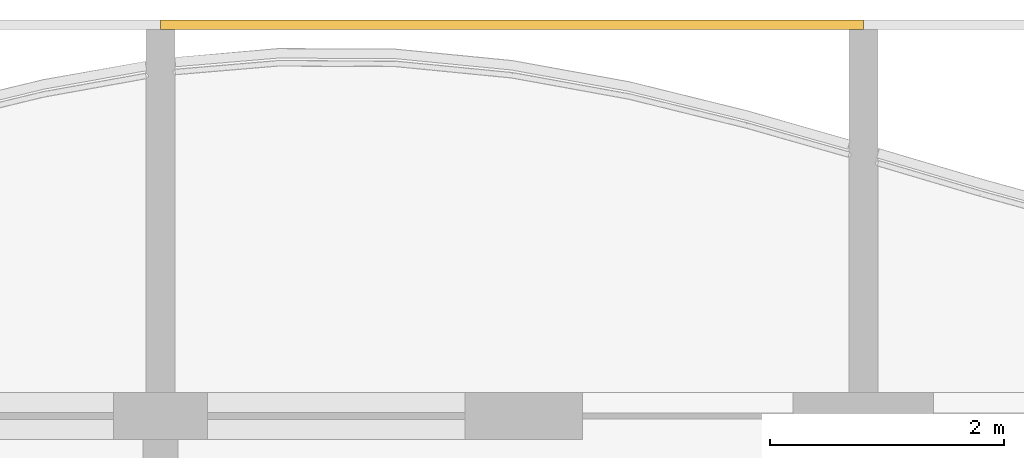
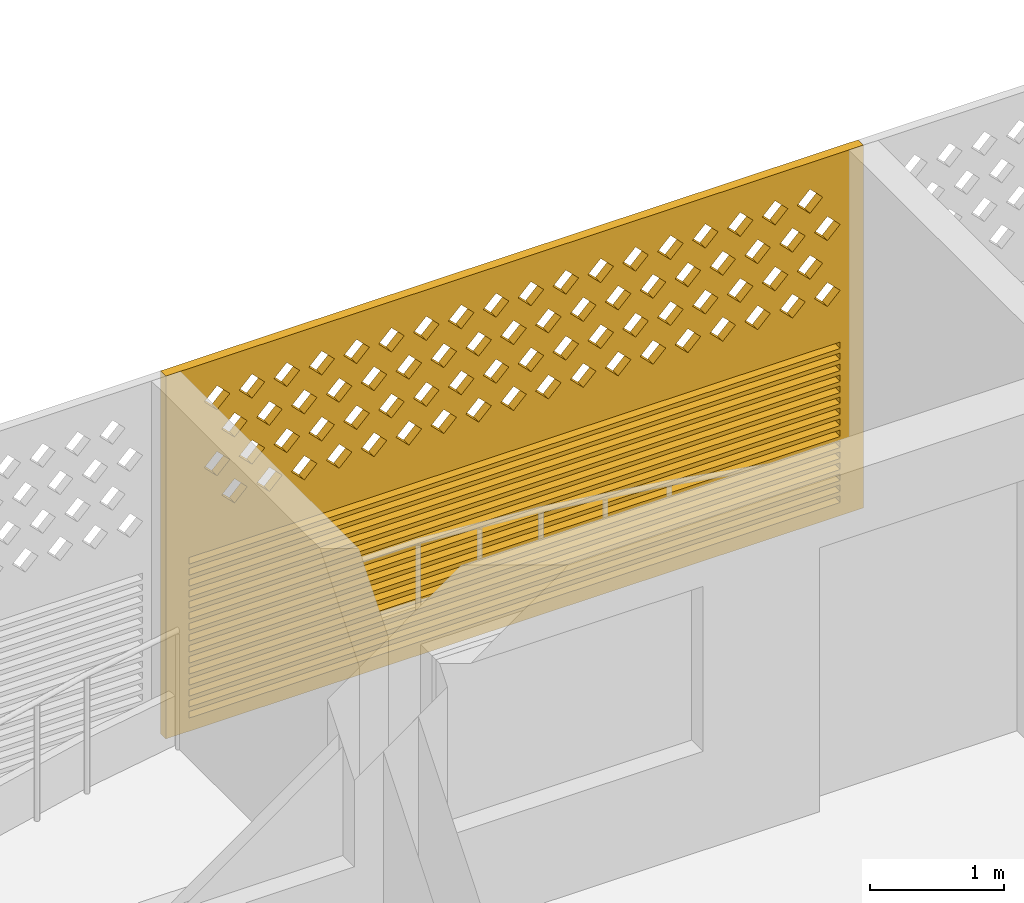
# One storey, part 20 of 32: 1 covering.
"""IFC4 building model written with IfcOpenShell, lengths in metres."""

from ifc_helpers import new_model, si_unit, direction, frame, origin, place, context, subcontext, project, spatial, polyline, outline, extrude, source, transform, mapped, material, material_profile, profile_set, type_object, element, save


model = new_model("IFC4")

# Units and contexts
model_context = context("Model", 3, precision=1e-05, world=origin(), true_north=direction((0.0, 1.0)))
body_context = subcontext(model_context, "Body", "Model", "MODEL_VIEW")
ifc_project = project(units=[si_unit("LENGTHUNIT", "METRE"), si_unit("AREAUNIT", "SQUARE_METRE"), si_unit("VOLUMEUNIT", "CUBIC_METRE"), si_unit("PLANEANGLEUNIT", "RADIAN"), si_unit("MASSUNIT", "GRAM", prefix="KILO")], contexts=[model_context])

# Site, building, storey
site_placement = place(None, origin())
site = spatial("IfcSite", under=ifc_project, at=site_placement, CompositionType="ELEMENT")
building_placement = place(site_placement, origin())
building = spatial("IfcBuilding", under=site, at=building_placement, Name="Poui Terraces", CompositionType="ELEMENT")
storey_placement = place(building_placement, frame((0.0, 0.0, 155.39990234375)))
storey = spatial("IfcBuildingStorey", under=building, at=storey_placement, Name="L43", CompositionType="ELEMENT", Elevation=155.39990234375)

# Covering
ifc_material = material(Name="Terracotta screen", Category="masonry")
ifc_material_profile = material_profile(ifc_material, outline(polyline([(-3.0, -1.64990234375), (3.0, -1.64990234375), (3.0, 1.64990234375), (-3.0, 1.64990234375), (-3.0, -1.64990234375)]), holes=[polyline([(-2.800048828125, 0.39990234375), (-2.68994140625, 0.2900390625), (-2.580078125, 0.39990234375), (-2.68994140625, 0.510009765625), (-2.800048828125, 0.39990234375)]), polyline([(-2.5, 0.39990234375), (-2.389892578125, 0.2900390625), (-2.280029296875, 0.39990234375), (-2.389892578125, 0.510009765625), (-2.5, 0.39990234375)]), polyline([(-2.199951171875, 0.39990234375), (-2.090087890625, 0.2900390625), (-1.97998046875, 0.39990234375), (-2.090087890625, 0.510009765625), (-2.199951171875, 0.39990234375)]), polyline([(-1.89990234375, 0.39990234375), (-1.7900390625, 0.2900390625), (-1.679931640625, 0.39990234375), (-1.7900390625, 0.510009765625), (-1.89990234375, 0.39990234375)]), polyline([(-1.60009765625, 0.39990234375), (-1.489990234375, 0.2900390625), (-1.3798828125, 0.39990234375), (-1.489990234375, 0.510009765625), (-1.60009765625, 0.39990234375)]), polyline([(-1.300048828125, 0.39990234375), (-1.18994140625, 0.2900390625), (-1.080078125, 0.39990234375), (-1.18994140625, 0.510009765625), (-1.300048828125, 0.39990234375)]), polyline([(-1.0, 0.39990234375), (-0.889892578125, 0.2900390625), (-0.780029296875, 0.39990234375), (-0.889892578125, 0.510009765625), (-1.0, 0.39990234375)]), polyline([(-0.699951171875, 0.39990234375), (-0.590087890625, 0.2900390625), (-0.47998046875, 0.39990234375), (-0.590087890625, 0.510009765625), (-0.699951171875, 0.39990234375)]), polyline([(-0.39990234375, 0.39990234375), (-0.2900390625, 0.2900390625), (-0.179931640625, 0.39990234375), (-0.2900390625, 0.510009765625), (-0.39990234375, 0.39990234375)]), polyline([(-0.10009765625, 0.39990234375), (0.010009765625, 0.2900390625), (0.1201171875, 0.39990234375), (0.010009765625, 0.510009765625), (-0.10009765625, 0.39990234375)]), polyline([(0.199951171875, 0.39990234375), (0.31005859375, 0.2900390625), (0.419921875, 0.39990234375), (0.31005859375, 0.510009765625), (0.199951171875, 0.39990234375)]), polyline([(0.5, 0.39990234375), (0.610107421875, 0.2900390625), (0.719970703125, 0.39990234375), (0.610107421875, 0.510009765625), (0.5, 0.39990234375)]), polyline([(0.800048828125, 0.39990234375), (0.909912109375, 0.2900390625), (1.02001953125, 0.39990234375), (0.909912109375, 0.510009765625), (0.800048828125, 0.39990234375)]), polyline([(1.10009765625, 0.39990234375), (1.2099609375, 0.2900390625), (1.320068359375, 0.39990234375), (1.2099609375, 0.510009765625), (1.10009765625, 0.39990234375)]), polyline([(1.39990234375, 0.39990234375), (1.510009765625, 0.2900390625), (1.6201171875, 0.39990234375), (1.510009765625, 0.510009765625), (1.39990234375, 0.39990234375)]), polyline([(1.699951171875, 0.39990234375), (1.81005859375, 0.2900390625), (1.919921875, 0.39990234375), (1.81005859375, 0.510009765625), (1.699951171875, 0.39990234375)]), polyline([(2.0, 0.39990234375), (2.110107421875, 0.2900390625), (2.219970703125, 0.39990234375), (2.110107421875, 0.510009765625), (2.0, 0.39990234375)]), polyline([(2.300048828125, 0.39990234375), (2.409912109375, 0.2900390625), (2.52001953125, 0.39990234375), (2.409912109375, 0.510009765625), (2.300048828125, 0.39990234375)]), polyline([(-2.64990234375, 0.699951171875), (-2.5400390625, 0.590087890625), (-2.429931640625, 0.699951171875), (-2.5400390625, 0.81005859375), (-2.64990234375, 0.699951171875)]), polyline([(-2.35009765625, 0.699951171875), (-2.239990234375, 0.590087890625), (-2.1298828125, 0.699951171875), (-2.239990234375, 0.81005859375), (-2.35009765625, 0.699951171875)]), polyline([(-2.050048828125, 0.699951171875), (-1.93994140625, 0.590087890625), (-1.830078125, 0.699951171875), (-1.93994140625, 0.81005859375), (-2.050048828125, 0.699951171875)]), polyline([(-1.75, 0.699951171875), (-1.639892578125, 0.590087890625), (-1.530029296875, 0.699951171875), (-1.639892578125, 0.81005859375), (-1.75, 0.699951171875)]), polyline([(-1.449951171875, 0.699951171875), (-1.340087890625, 0.590087890625), (-1.22998046875, 0.699951171875), (-1.340087890625, 0.81005859375), (-1.449951171875, 0.699951171875)]), polyline([(-1.14990234375, 0.699951171875), (-1.0400390625, 0.590087890625), (-0.929931640625, 0.699951171875), (-1.0400390625, 0.81005859375), (-1.14990234375, 0.699951171875)]), polyline([(-0.85009765625, 0.699951171875), (-0.739990234375, 0.590087890625), (-0.6298828125, 0.699951171875), (-0.739990234375, 0.81005859375), (-0.85009765625, 0.699951171875)]), polyline([(-0.550048828125, 0.699951171875), (-0.43994140625, 0.590087890625), (-0.330078125, 0.699951171875), (-0.43994140625, 0.81005859375), (-0.550048828125, 0.699951171875)]), polyline([(-0.25, 0.699951171875), (-0.139892578125, 0.590087890625), (-0.030029296875, 0.699951171875), (-0.139892578125, 0.81005859375), (-0.25, 0.699951171875)]), polyline([(0.050048828125, 0.699951171875), (0.159912109375, 0.590087890625), (0.27001953125, 0.699951171875), (0.159912109375, 0.81005859375), (0.050048828125, 0.699951171875)]), polyline([(0.35009765625, 0.699951171875), (0.4599609375, 0.590087890625), (0.570068359375, 0.699951171875), (0.4599609375, 0.81005859375), (0.35009765625, 0.699951171875)]), polyline([(0.64990234375, 0.699951171875), (0.760009765625, 0.590087890625), (0.8701171875, 0.699951171875), (0.760009765625, 0.81005859375), (0.64990234375, 0.699951171875)]), polyline([(0.949951171875, 0.699951171875), (1.06005859375, 0.590087890625), (1.169921875, 0.699951171875), (1.06005859375, 0.81005859375), (0.949951171875, 0.699951171875)]), polyline([(1.25, 0.699951171875), (1.360107421875, 0.590087890625), (1.469970703125, 0.699951171875), (1.360107421875, 0.81005859375), (1.25, 0.699951171875)]), polyline([(1.550048828125, 0.699951171875), (1.659912109375, 0.590087890625), (1.77001953125, 0.699951171875), (1.659912109375, 0.81005859375), (1.550048828125, 0.699951171875)]), polyline([(1.85009765625, 0.699951171875), (1.9599609375, 0.590087890625), (2.070068359375, 0.699951171875), (1.9599609375, 0.81005859375), (1.85009765625, 0.699951171875)]), polyline([(2.14990234375, 0.699951171875), (2.260009765625, 0.590087890625), (2.3701171875, 0.699951171875), (2.260009765625, 0.81005859375), (2.14990234375, 0.699951171875)]), polyline([(2.449951171875, 0.699951171875), (2.56005859375, 0.590087890625), (2.669921875, 0.699951171875), (2.56005859375, 0.81005859375), (2.449951171875, 0.699951171875)]), polyline([(-2.800048828125, 1.0), (-2.68994140625, 0.889892578125), (-2.580078125, 1.0), (-2.68994140625, 1.110107421875), (-2.800048828125, 1.0)]), polyline([(-2.5, 1.0), (-2.389892578125, 0.889892578125), (-2.280029296875, 1.0), (-2.389892578125, 1.110107421875), (-2.5, 1.0)]), polyline([(-2.199951171875, 1.0), (-2.090087890625, 0.889892578125), (-1.97998046875, 1.0), (-2.090087890625, 1.110107421875), (-2.199951171875, 1.0)]), polyline([(-1.89990234375, 1.0), (-1.7900390625, 0.889892578125), (-1.679931640625, 1.0), (-1.7900390625, 1.110107421875), (-1.89990234375, 1.0)]), polyline([(-1.60009765625, 1.0), (-1.489990234375, 0.889892578125), (-1.3798828125, 1.0), (-1.489990234375, 1.110107421875), (-1.60009765625, 1.0)]), polyline([(-1.300048828125, 1.0), (-1.18994140625, 0.889892578125), (-1.080078125, 1.0), (-1.18994140625, 1.110107421875), (-1.300048828125, 1.0)]), polyline([(-1.0, 1.0), (-0.889892578125, 0.889892578125), (-0.780029296875, 1.0), (-0.889892578125, 1.110107421875), (-1.0, 1.0)]), polyline([(-0.699951171875, 1.0), (-0.590087890625, 0.889892578125), (-0.47998046875, 1.0), (-0.590087890625, 1.110107421875), (-0.699951171875, 1.0)]), polyline([(-0.39990234375, 1.0), (-0.2900390625, 0.889892578125), (-0.179931640625, 1.0), (-0.2900390625, 1.110107421875), (-0.39990234375, 1.0)]), polyline([(-0.10009765625, 1.0), (0.010009765625, 0.889892578125), (0.1201171875, 1.0), (0.010009765625, 1.110107421875), (-0.10009765625, 1.0)]), polyline([(0.199951171875, 1.0), (0.31005859375, 0.889892578125), (0.419921875, 1.0), (0.31005859375, 1.110107421875), (0.199951171875, 1.0)]), polyline([(0.5, 1.0), (0.610107421875, 0.889892578125), (0.719970703125, 1.0), (0.610107421875, 1.110107421875), (0.5, 1.0)]), polyline([(0.800048828125, 1.0), (0.909912109375, 0.889892578125), (1.02001953125, 1.0), (0.909912109375, 1.110107421875), (0.800048828125, 1.0)]), polyline([(1.10009765625, 1.0), (1.2099609375, 0.889892578125), (1.320068359375, 1.0), (1.2099609375, 1.110107421875), (1.10009765625, 1.0)]), polyline([(1.39990234375, 1.0), (1.510009765625, 0.889892578125), (1.6201171875, 1.0), (1.510009765625, 1.110107421875), (1.39990234375, 1.0)]), polyline([(1.699951171875, 1.0), (1.81005859375, 0.889892578125), (1.919921875, 1.0), (1.81005859375, 1.110107421875), (1.699951171875, 1.0)]), polyline([(2.0, 1.0), (2.110107421875, 0.889892578125), (2.219970703125, 1.0), (2.110107421875, 1.110107421875), (2.0, 1.0)]), polyline([(2.300048828125, 1.0), (2.409912109375, 0.889892578125), (2.52001953125, 1.0), (2.409912109375, 1.110107421875), (2.300048828125, 1.0)]), polyline([(-2.64990234375, 1.300048828125), (-2.5400390625, 1.18994140625), (-2.429931640625, 1.300048828125), (-2.5400390625, 1.409912109375), (-2.64990234375, 1.300048828125)]), polyline([(-2.35009765625, 1.300048828125), (-2.239990234375, 1.18994140625), (-2.1298828125, 1.300048828125), (-2.239990234375, 1.409912109375), (-2.35009765625, 1.300048828125)]), polyline([(-2.050048828125, 1.300048828125), (-1.93994140625, 1.18994140625), (-1.830078125, 1.300048828125), (-1.93994140625, 1.409912109375), (-2.050048828125, 1.300048828125)]), polyline([(-1.75, 1.300048828125), (-1.639892578125, 1.18994140625), (-1.530029296875, 1.300048828125), (-1.639892578125, 1.409912109375), (-1.75, 1.300048828125)]), polyline([(-1.449951171875, 1.300048828125), (-1.340087890625, 1.18994140625), (-1.22998046875, 1.300048828125), (-1.340087890625, 1.409912109375), (-1.449951171875, 1.300048828125)]), polyline([(-1.14990234375, 1.300048828125), (-1.0400390625, 1.18994140625), (-0.929931640625, 1.300048828125), (-1.0400390625, 1.409912109375), (-1.14990234375, 1.300048828125)]), polyline([(-0.85009765625, 1.300048828125), (-0.739990234375, 1.18994140625), (-0.6298828125, 1.300048828125), (-0.739990234375, 1.409912109375), (-0.85009765625, 1.300048828125)]), polyline([(-0.550048828125, 1.300048828125), (-0.43994140625, 1.18994140625), (-0.330078125, 1.300048828125), (-0.43994140625, 1.409912109375), (-0.550048828125, 1.300048828125)]), polyline([(-0.25, 1.300048828125), (-0.139892578125, 1.18994140625), (-0.030029296875, 1.300048828125), (-0.139892578125, 1.409912109375), (-0.25, 1.300048828125)]), polyline([(0.050048828125, 1.300048828125), (0.159912109375, 1.18994140625), (0.27001953125, 1.300048828125), (0.159912109375, 1.409912109375), (0.050048828125, 1.300048828125)]), polyline([(0.35009765625, 1.300048828125), (0.4599609375, 1.18994140625), (0.570068359375, 1.300048828125), (0.4599609375, 1.409912109375), (0.35009765625, 1.300048828125)]), polyline([(0.64990234375, 1.300048828125), (0.760009765625, 1.18994140625), (0.8701171875, 1.300048828125), (0.760009765625, 1.409912109375), (0.64990234375, 1.300048828125)]), polyline([(0.949951171875, 1.300048828125), (1.06005859375, 1.18994140625), (1.169921875, 1.300048828125), (1.06005859375, 1.409912109375), (0.949951171875, 1.300048828125)]), polyline([(1.25, 1.300048828125), (1.360107421875, 1.18994140625), (1.469970703125, 1.300048828125), (1.360107421875, 1.409912109375), (1.25, 1.300048828125)]), polyline([(1.550048828125, 1.300048828125), (1.659912109375, 1.18994140625), (1.77001953125, 1.300048828125), (1.659912109375, 1.409912109375), (1.550048828125, 1.300048828125)]), polyline([(1.85009765625, 1.300048828125), (1.9599609375, 1.18994140625), (2.070068359375, 1.300048828125), (1.9599609375, 1.409912109375), (1.85009765625, 1.300048828125)]), polyline([(2.14990234375, 1.300048828125), (2.260009765625, 1.18994140625), (2.3701171875, 1.300048828125), (2.260009765625, 1.409912109375), (2.14990234375, 1.300048828125)]), polyline([(2.449951171875, 1.300048828125), (2.56005859375, 1.18994140625), (2.669921875, 1.300048828125), (2.56005859375, 1.409912109375), (2.449951171875, 1.300048828125)]), polyline([(-2.800048828125, -1.530029296875), (2.800048828125, -1.530029296875), (2.800048828125, -1.469970703125), (-2.800048828125, -1.469970703125), (-2.800048828125, -1.530029296875)]), polyline([(-2.800048828125, -1.429931640625), (2.800048828125, -1.429931640625), (2.800048828125, -1.3701171875), (-2.800048828125, -1.3701171875), (-2.800048828125, -1.429931640625)]), polyline([(-2.800048828125, -1.330078125), (2.800048828125, -1.330078125), (2.800048828125, -1.27001953125), (-2.800048828125, -1.27001953125), (-2.800048828125, -1.330078125)]), polyline([(-2.800048828125, -1.22998046875), (2.800048828125, -1.22998046875), (2.800048828125, -1.169921875), (-2.800048828125, -1.169921875), (-2.800048828125, -1.22998046875)]), polyline([(-2.800048828125, -1.1298828125), (2.800048828125, -1.1298828125), (2.800048828125, -1.070068359375), (-2.800048828125, -1.070068359375), (-2.800048828125, -1.1298828125)]), polyline([(-2.800048828125, -1.030029296875), (2.800048828125, -1.030029296875), (2.800048828125, -0.969970703125), (-2.800048828125, -0.969970703125), (-2.800048828125, -1.030029296875)]), polyline([(-2.800048828125, -0.929931640625), (2.800048828125, -0.929931640625), (2.800048828125, -0.8701171875), (-2.800048828125, -0.8701171875), (-2.800048828125, -0.929931640625)]), polyline([(-2.800048828125, -0.830078125), (2.800048828125, -0.830078125), (2.800048828125, -0.77001953125), (-2.800048828125, -0.77001953125), (-2.800048828125, -0.830078125)]), polyline([(-2.800048828125, -0.72998046875), (2.800048828125, -0.72998046875), (2.800048828125, -0.669921875), (-2.800048828125, -0.669921875), (-2.800048828125, -0.72998046875)]), polyline([(-2.800048828125, -0.6298828125), (2.800048828125, -0.6298828125), (2.800048828125, -0.570068359375), (-2.800048828125, -0.570068359375), (-2.800048828125, -0.6298828125)]), polyline([(-2.800048828125, -0.530029296875), (2.800048828125, -0.530029296875), (2.800048828125, -0.469970703125), (-2.800048828125, -0.469970703125), (-2.800048828125, -0.530029296875)]), polyline([(-2.800048828125, -0.429931640625), (2.800048828125, -0.429931640625), (2.800048828125, -0.3701171875), (-2.800048828125, -0.3701171875), (-2.800048828125, -0.429931640625)]), polyline([(-2.800048828125, -0.330078125), (2.800048828125, -0.330078125), (2.800048828125, -0.27001953125), (-2.800048828125, -0.27001953125), (-2.800048828125, -0.330078125)]), polyline([(-2.800048828125, -0.22998046875), (2.800048828125, -0.22998046875), (2.800048828125, -0.169921875), (-2.800048828125, -0.169921875), (-2.800048828125, -0.22998046875)]), polyline([(-2.800048828125, -0.1298828125), (2.800048828125, -0.1298828125), (2.800048828125, -0.070068359375), (-2.800048828125, -0.070068359375), (-2.800048828125, -0.1298828125)])]), Name="TERRACOTTA SCREEN AND JALOUSIE LOUVRE 6000X3300")
ifc_profile_set = profile_set([ifc_material_profile], Name="Terracotta screen")
covering_type = type_object("IfcCoveringType", Name="TERRACOTTA SCREEN AND JALOUSIE LOUVRE 6000X3300", PredefinedType="CLADDING", material=ifc_profile_set)
shared_shape = source(origin(), body_context, "Body", "SweptSolid", [
    extrude(outline(polyline([(-3.0, -1.64990234375), (3.0, -1.64990234375), (3.0, 1.64990234375), (-3.0, 1.64990234375), (-3.0, -1.64990234375)]), holes=[polyline([(-2.800048828125, 0.39990234375), (-2.68994140625, 0.2900390625), (-2.580078125, 0.39990234375), (-2.68994140625, 0.510009765625), (-2.800048828125, 0.39990234375)]), polyline([(-2.5, 0.39990234375), (-2.389892578125, 0.2900390625), (-2.280029296875, 0.39990234375), (-2.389892578125, 0.510009765625), (-2.5, 0.39990234375)]), polyline([(-2.199951171875, 0.39990234375), (-2.090087890625, 0.2900390625), (-1.97998046875, 0.39990234375), (-2.090087890625, 0.510009765625), (-2.199951171875, 0.39990234375)]), polyline([(-1.89990234375, 0.39990234375), (-1.7900390625, 0.2900390625), (-1.679931640625, 0.39990234375), (-1.7900390625, 0.510009765625), (-1.89990234375, 0.39990234375)]), polyline([(-1.60009765625, 0.39990234375), (-1.489990234375, 0.2900390625), (-1.3798828125, 0.39990234375), (-1.489990234375, 0.510009765625), (-1.60009765625, 0.39990234375)]), polyline([(-1.300048828125, 0.39990234375), (-1.18994140625, 0.2900390625), (-1.080078125, 0.39990234375), (-1.18994140625, 0.510009765625), (-1.300048828125, 0.39990234375)]), polyline([(-1.0, 0.39990234375), (-0.889892578125, 0.2900390625), (-0.780029296875, 0.39990234375), (-0.889892578125, 0.510009765625), (-1.0, 0.39990234375)]), polyline([(-0.699951171875, 0.39990234375), (-0.590087890625, 0.2900390625), (-0.47998046875, 0.39990234375), (-0.590087890625, 0.510009765625), (-0.699951171875, 0.39990234375)]), polyline([(-0.39990234375, 0.39990234375), (-0.2900390625, 0.2900390625), (-0.179931640625, 0.39990234375), (-0.2900390625, 0.510009765625), (-0.39990234375, 0.39990234375)]), polyline([(-0.10009765625, 0.39990234375), (0.010009765625, 0.2900390625), (0.1201171875, 0.39990234375), (0.010009765625, 0.510009765625), (-0.10009765625, 0.39990234375)]), polyline([(0.199951171875, 0.39990234375), (0.31005859375, 0.2900390625), (0.419921875, 0.39990234375), (0.31005859375, 0.510009765625), (0.199951171875, 0.39990234375)]), polyline([(0.5, 0.39990234375), (0.610107421875, 0.2900390625), (0.719970703125, 0.39990234375), (0.610107421875, 0.510009765625), (0.5, 0.39990234375)]), polyline([(0.800048828125, 0.39990234375), (0.909912109375, 0.2900390625), (1.02001953125, 0.39990234375), (0.909912109375, 0.510009765625), (0.800048828125, 0.39990234375)]), polyline([(1.10009765625, 0.39990234375), (1.2099609375, 0.2900390625), (1.320068359375, 0.39990234375), (1.2099609375, 0.510009765625), (1.10009765625, 0.39990234375)]), polyline([(1.39990234375, 0.39990234375), (1.510009765625, 0.2900390625), (1.6201171875, 0.39990234375), (1.510009765625, 0.510009765625), (1.39990234375, 0.39990234375)]), polyline([(1.699951171875, 0.39990234375), (1.81005859375, 0.2900390625), (1.919921875, 0.39990234375), (1.81005859375, 0.510009765625), (1.699951171875, 0.39990234375)]), polyline([(2.0, 0.39990234375), (2.110107421875, 0.2900390625), (2.219970703125, 0.39990234375), (2.110107421875, 0.510009765625), (2.0, 0.39990234375)]), polyline([(2.300048828125, 0.39990234375), (2.409912109375, 0.2900390625), (2.52001953125, 0.39990234375), (2.409912109375, 0.510009765625), (2.300048828125, 0.39990234375)]), polyline([(-2.64990234375, 0.699951171875), (-2.5400390625, 0.590087890625), (-2.429931640625, 0.699951171875), (-2.5400390625, 0.81005859375), (-2.64990234375, 0.699951171875)]), polyline([(-2.35009765625, 0.699951171875), (-2.239990234375, 0.590087890625), (-2.1298828125, 0.699951171875), (-2.239990234375, 0.81005859375), (-2.35009765625, 0.699951171875)]), polyline([(-2.050048828125, 0.699951171875), (-1.93994140625, 0.590087890625), (-1.830078125, 0.699951171875), (-1.93994140625, 0.81005859375), (-2.050048828125, 0.699951171875)]), polyline([(-1.75, 0.699951171875), (-1.639892578125, 0.590087890625), (-1.530029296875, 0.699951171875), (-1.639892578125, 0.81005859375), (-1.75, 0.699951171875)]), polyline([(-1.449951171875, 0.699951171875), (-1.340087890625, 0.590087890625), (-1.22998046875, 0.699951171875), (-1.340087890625, 0.81005859375), (-1.449951171875, 0.699951171875)]), polyline([(-1.14990234375, 0.699951171875), (-1.0400390625, 0.590087890625), (-0.929931640625, 0.699951171875), (-1.0400390625, 0.81005859375), (-1.14990234375, 0.699951171875)]), polyline([(-0.85009765625, 0.699951171875), (-0.739990234375, 0.590087890625), (-0.6298828125, 0.699951171875), (-0.739990234375, 0.81005859375), (-0.85009765625, 0.699951171875)]), polyline([(-0.550048828125, 0.699951171875), (-0.43994140625, 0.590087890625), (-0.330078125, 0.699951171875), (-0.43994140625, 0.81005859375), (-0.550048828125, 0.699951171875)]), polyline([(-0.25, 0.699951171875), (-0.139892578125, 0.590087890625), (-0.030029296875, 0.699951171875), (-0.139892578125, 0.81005859375), (-0.25, 0.699951171875)]), polyline([(0.050048828125, 0.699951171875), (0.159912109375, 0.590087890625), (0.27001953125, 0.699951171875), (0.159912109375, 0.81005859375), (0.050048828125, 0.699951171875)]), polyline([(0.35009765625, 0.699951171875), (0.4599609375, 0.590087890625), (0.570068359375, 0.699951171875), (0.4599609375, 0.81005859375), (0.35009765625, 0.699951171875)]), polyline([(0.64990234375, 0.699951171875), (0.760009765625, 0.590087890625), (0.8701171875, 0.699951171875), (0.760009765625, 0.81005859375), (0.64990234375, 0.699951171875)]), polyline([(0.949951171875, 0.699951171875), (1.06005859375, 0.590087890625), (1.169921875, 0.699951171875), (1.06005859375, 0.81005859375), (0.949951171875, 0.699951171875)]), polyline([(1.25, 0.699951171875), (1.360107421875, 0.590087890625), (1.469970703125, 0.699951171875), (1.360107421875, 0.81005859375), (1.25, 0.699951171875)]), polyline([(1.550048828125, 0.699951171875), (1.659912109375, 0.590087890625), (1.77001953125, 0.699951171875), (1.659912109375, 0.81005859375), (1.550048828125, 0.699951171875)]), polyline([(1.85009765625, 0.699951171875), (1.9599609375, 0.590087890625), (2.070068359375, 0.699951171875), (1.9599609375, 0.81005859375), (1.85009765625, 0.699951171875)]), polyline([(2.14990234375, 0.699951171875), (2.260009765625, 0.590087890625), (2.3701171875, 0.699951171875), (2.260009765625, 0.81005859375), (2.14990234375, 0.699951171875)]), polyline([(2.449951171875, 0.699951171875), (2.56005859375, 0.590087890625), (2.669921875, 0.699951171875), (2.56005859375, 0.81005859375), (2.449951171875, 0.699951171875)]), polyline([(-2.800048828125, 1.0), (-2.68994140625, 0.889892578125), (-2.580078125, 1.0), (-2.68994140625, 1.110107421875), (-2.800048828125, 1.0)]), polyline([(-2.5, 1.0), (-2.389892578125, 0.889892578125), (-2.280029296875, 1.0), (-2.389892578125, 1.110107421875), (-2.5, 1.0)]), polyline([(-2.199951171875, 1.0), (-2.090087890625, 0.889892578125), (-1.97998046875, 1.0), (-2.090087890625, 1.110107421875), (-2.199951171875, 1.0)]), polyline([(-1.89990234375, 1.0), (-1.7900390625, 0.889892578125), (-1.679931640625, 1.0), (-1.7900390625, 1.110107421875), (-1.89990234375, 1.0)]), polyline([(-1.60009765625, 1.0), (-1.489990234375, 0.889892578125), (-1.3798828125, 1.0), (-1.489990234375, 1.110107421875), (-1.60009765625, 1.0)]), polyline([(-1.300048828125, 1.0), (-1.18994140625, 0.889892578125), (-1.080078125, 1.0), (-1.18994140625, 1.110107421875), (-1.300048828125, 1.0)]), polyline([(-1.0, 1.0), (-0.889892578125, 0.889892578125), (-0.780029296875, 1.0), (-0.889892578125, 1.110107421875), (-1.0, 1.0)]), polyline([(-0.699951171875, 1.0), (-0.590087890625, 0.889892578125), (-0.47998046875, 1.0), (-0.590087890625, 1.110107421875), (-0.699951171875, 1.0)]), polyline([(-0.39990234375, 1.0), (-0.2900390625, 0.889892578125), (-0.179931640625, 1.0), (-0.2900390625, 1.110107421875), (-0.39990234375, 1.0)]), polyline([(-0.10009765625, 1.0), (0.010009765625, 0.889892578125), (0.1201171875, 1.0), (0.010009765625, 1.110107421875), (-0.10009765625, 1.0)]), polyline([(0.199951171875, 1.0), (0.31005859375, 0.889892578125), (0.419921875, 1.0), (0.31005859375, 1.110107421875), (0.199951171875, 1.0)]), polyline([(0.5, 1.0), (0.610107421875, 0.889892578125), (0.719970703125, 1.0), (0.610107421875, 1.110107421875), (0.5, 1.0)]), polyline([(0.800048828125, 1.0), (0.909912109375, 0.889892578125), (1.02001953125, 1.0), (0.909912109375, 1.110107421875), (0.800048828125, 1.0)]), polyline([(1.10009765625, 1.0), (1.2099609375, 0.889892578125), (1.320068359375, 1.0), (1.2099609375, 1.110107421875), (1.10009765625, 1.0)]), polyline([(1.39990234375, 1.0), (1.510009765625, 0.889892578125), (1.6201171875, 1.0), (1.510009765625, 1.110107421875), (1.39990234375, 1.0)]), polyline([(1.699951171875, 1.0), (1.81005859375, 0.889892578125), (1.919921875, 1.0), (1.81005859375, 1.110107421875), (1.699951171875, 1.0)]), polyline([(2.0, 1.0), (2.110107421875, 0.889892578125), (2.219970703125, 1.0), (2.110107421875, 1.110107421875), (2.0, 1.0)]), polyline([(2.300048828125, 1.0), (2.409912109375, 0.889892578125), (2.52001953125, 1.0), (2.409912109375, 1.110107421875), (2.300048828125, 1.0)]), polyline([(-2.64990234375, 1.300048828125), (-2.5400390625, 1.18994140625), (-2.429931640625, 1.300048828125), (-2.5400390625, 1.409912109375), (-2.64990234375, 1.300048828125)]), polyline([(-2.35009765625, 1.300048828125), (-2.239990234375, 1.18994140625), (-2.1298828125, 1.300048828125), (-2.239990234375, 1.409912109375), (-2.35009765625, 1.300048828125)]), polyline([(-2.050048828125, 1.300048828125), (-1.93994140625, 1.18994140625), (-1.830078125, 1.300048828125), (-1.93994140625, 1.409912109375), (-2.050048828125, 1.300048828125)]), polyline([(-1.75, 1.300048828125), (-1.639892578125, 1.18994140625), (-1.530029296875, 1.300048828125), (-1.639892578125, 1.409912109375), (-1.75, 1.300048828125)]), polyline([(-1.449951171875, 1.300048828125), (-1.340087890625, 1.18994140625), (-1.22998046875, 1.300048828125), (-1.340087890625, 1.409912109375), (-1.449951171875, 1.300048828125)]), polyline([(-1.14990234375, 1.300048828125), (-1.0400390625, 1.18994140625), (-0.929931640625, 1.300048828125), (-1.0400390625, 1.409912109375), (-1.14990234375, 1.300048828125)]), polyline([(-0.85009765625, 1.300048828125), (-0.739990234375, 1.18994140625), (-0.6298828125, 1.300048828125), (-0.739990234375, 1.409912109375), (-0.85009765625, 1.300048828125)]), polyline([(-0.550048828125, 1.300048828125), (-0.43994140625, 1.18994140625), (-0.330078125, 1.300048828125), (-0.43994140625, 1.409912109375), (-0.550048828125, 1.300048828125)]), polyline([(-0.25, 1.300048828125), (-0.139892578125, 1.18994140625), (-0.030029296875, 1.300048828125), (-0.139892578125, 1.409912109375), (-0.25, 1.300048828125)]), polyline([(0.050048828125, 1.300048828125), (0.159912109375, 1.18994140625), (0.27001953125, 1.300048828125), (0.159912109375, 1.409912109375), (0.050048828125, 1.300048828125)]), polyline([(0.35009765625, 1.300048828125), (0.4599609375, 1.18994140625), (0.570068359375, 1.300048828125), (0.4599609375, 1.409912109375), (0.35009765625, 1.300048828125)]), polyline([(0.64990234375, 1.300048828125), (0.760009765625, 1.18994140625), (0.8701171875, 1.300048828125), (0.760009765625, 1.409912109375), (0.64990234375, 1.300048828125)]), polyline([(0.949951171875, 1.300048828125), (1.06005859375, 1.18994140625), (1.169921875, 1.300048828125), (1.06005859375, 1.409912109375), (0.949951171875, 1.300048828125)]), polyline([(1.25, 1.300048828125), (1.360107421875, 1.18994140625), (1.469970703125, 1.300048828125), (1.360107421875, 1.409912109375), (1.25, 1.300048828125)]), polyline([(1.550048828125, 1.300048828125), (1.659912109375, 1.18994140625), (1.77001953125, 1.300048828125), (1.659912109375, 1.409912109375), (1.550048828125, 1.300048828125)]), polyline([(1.85009765625, 1.300048828125), (1.9599609375, 1.18994140625), (2.070068359375, 1.300048828125), (1.9599609375, 1.409912109375), (1.85009765625, 1.300048828125)]), polyline([(2.14990234375, 1.300048828125), (2.260009765625, 1.18994140625), (2.3701171875, 1.300048828125), (2.260009765625, 1.409912109375), (2.14990234375, 1.300048828125)]), polyline([(2.449951171875, 1.300048828125), (2.56005859375, 1.18994140625), (2.669921875, 1.300048828125), (2.56005859375, 1.409912109375), (2.449951171875, 1.300048828125)]), polyline([(-2.800048828125, -1.530029296875), (2.800048828125, -1.530029296875), (2.800048828125, -1.469970703125), (-2.800048828125, -1.469970703125), (-2.800048828125, -1.530029296875)]), polyline([(-2.800048828125, -1.429931640625), (2.800048828125, -1.429931640625), (2.800048828125, -1.3701171875), (-2.800048828125, -1.3701171875), (-2.800048828125, -1.429931640625)]), polyline([(-2.800048828125, -1.330078125), (2.800048828125, -1.330078125), (2.800048828125, -1.27001953125), (-2.800048828125, -1.27001953125), (-2.800048828125, -1.330078125)]), polyline([(-2.800048828125, -1.22998046875), (2.800048828125, -1.22998046875), (2.800048828125, -1.169921875), (-2.800048828125, -1.169921875), (-2.800048828125, -1.22998046875)]), polyline([(-2.800048828125, -1.1298828125), (2.800048828125, -1.1298828125), (2.800048828125, -1.070068359375), (-2.800048828125, -1.070068359375), (-2.800048828125, -1.1298828125)]), polyline([(-2.800048828125, -1.030029296875), (2.800048828125, -1.030029296875), (2.800048828125, -0.969970703125), (-2.800048828125, -0.969970703125), (-2.800048828125, -1.030029296875)]), polyline([(-2.800048828125, -0.929931640625), (2.800048828125, -0.929931640625), (2.800048828125, -0.8701171875), (-2.800048828125, -0.8701171875), (-2.800048828125, -0.929931640625)]), polyline([(-2.800048828125, -0.830078125), (2.800048828125, -0.830078125), (2.800048828125, -0.77001953125), (-2.800048828125, -0.77001953125), (-2.800048828125, -0.830078125)]), polyline([(-2.800048828125, -0.72998046875), (2.800048828125, -0.72998046875), (2.800048828125, -0.669921875), (-2.800048828125, -0.669921875), (-2.800048828125, -0.72998046875)]), polyline([(-2.800048828125, -0.6298828125), (2.800048828125, -0.6298828125), (2.800048828125, -0.570068359375), (-2.800048828125, -0.570068359375), (-2.800048828125, -0.6298828125)]), polyline([(-2.800048828125, -0.530029296875), (2.800048828125, -0.530029296875), (2.800048828125, -0.469970703125), (-2.800048828125, -0.469970703125), (-2.800048828125, -0.530029296875)]), polyline([(-2.800048828125, -0.429931640625), (2.800048828125, -0.429931640625), (2.800048828125, -0.3701171875), (-2.800048828125, -0.3701171875), (-2.800048828125, -0.429931640625)]), polyline([(-2.800048828125, -0.330078125), (2.800048828125, -0.330078125), (2.800048828125, -0.27001953125), (-2.800048828125, -0.27001953125), (-2.800048828125, -0.330078125)]), polyline([(-2.800048828125, -0.22998046875), (2.800048828125, -0.22998046875), (2.800048828125, -0.169921875), (-2.800048828125, -0.169921875), (-2.800048828125, -0.22998046875)]), polyline([(-2.800048828125, -0.1298828125), (2.800048828125, -0.1298828125), (2.800048828125, -0.070068359375), (-2.800048828125, -0.070068359375), (-2.800048828125, -0.1298828125)])]), origin(), (0.0, 0.0, 1.0), 0.080078125),
])
covering_placement = place(storey_placement, frame((27.0, 45.699951171875, 1.4501953125), z_axis=(0.0, 1.0, 0.0), x_axis=(-1.0, 0.0, 0.0)))
element("IfcCovering", 1, at=covering_placement, inside=storey, type_object=covering_type, Name="SOLAR SCREEN AND JALOUSIE LOUVRE", PredefinedType="CLADDING", context=body_context, shape_type="MappedRepresentation", body=[
    mapped(shared_shape, transform((0.0, 0.0, 0.0))),
])

save(model, "model.ifc")
